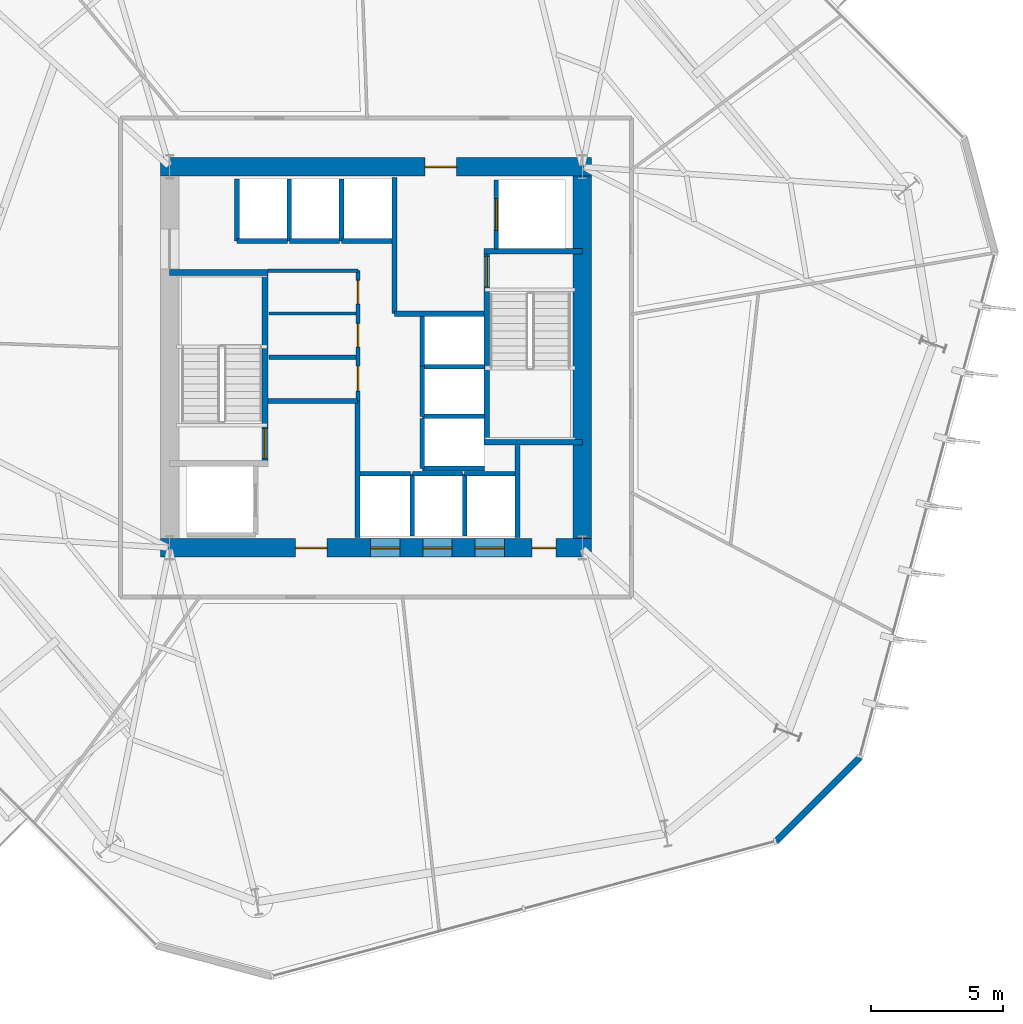
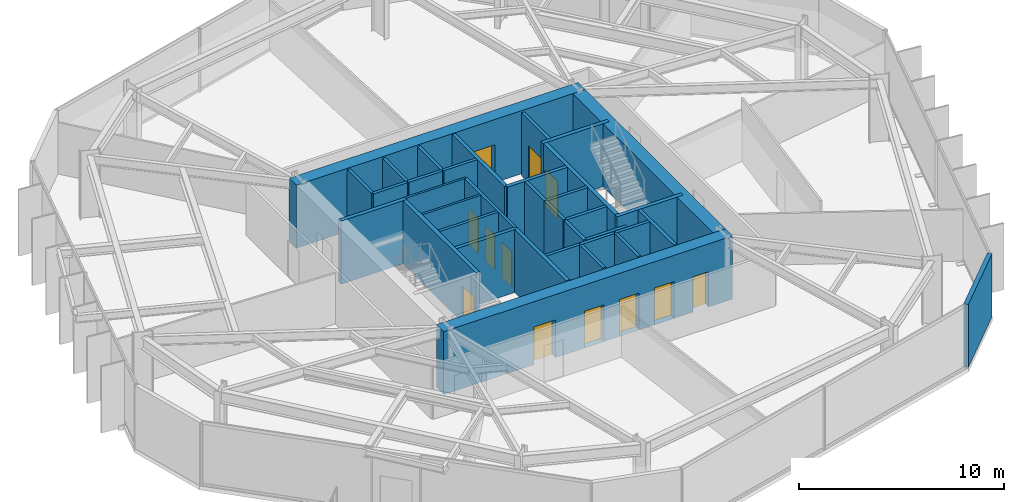
# One storey, part 6 of 10: 36 walls, 12 doors, 12 openings.
"""IFC4 building model written with IfcOpenShell, lengths in metres."""

from ifc_helpers import new_model, si_unit, direction, frame, frame_2d, origin, place, context, subcontext, project, spatial, rectangle, extrude, material, layer, layer_set, type_object, element, fill, save


model = new_model("IFC4")

# Units and contexts
model_context = context("Model", 3, precision=1e-05, world=origin(), true_north=direction((0.0, 1.0)))
body_context = subcontext(model_context, "Body", "Model", "MODEL_VIEW")
ifc_project = project(units=[si_unit("LENGTHUNIT", "METRE"), si_unit("AREAUNIT", "SQUARE_METRE"), si_unit("VOLUMEUNIT", "CUBIC_METRE"), si_unit("PLANEANGLEUNIT", "RADIAN"), si_unit("MASSUNIT", "GRAM", prefix="KILO")], contexts=[model_context])

# Site, building, storey
site_placement = place(None, origin())
site = spatial("IfcSite", under=ifc_project, at=site_placement, CompositionType="ELEMENT")
building_placement = place(site_placement, origin())
building = spatial("IfcBuilding", under=site, at=building_placement, Name="Kranzbogen Civic Tower", CompositionType="ELEMENT")
storey_placement = place(building_placement, frame((0.0, 0.0, 80.0)))
storey = spatial("IfcBuildingStorey", under=building, at=storey_placement, Name="L19", CompositionType="ELEMENT", Elevation=80.0)

# Walls
ifc_material_1 = material(Name="Insulated Metal-Stud Gypsum Partition")
ifc_layer_1 = layer(ifc_material_1, 0.125, Name="Insulated Metal-Stud Gypsum Partition")
ifc_layer_set_1 = layer_set([ifc_layer_1], Name="Insulated Metal-Stud Gypsum Partition")
wall_type_1 = type_object("IfcWallType", Name="Acoustic Inter-Room Partition 125 mm", PredefinedType="PARTITIONING", material=ifc_layer_set_1)
wall_1_placement = place(storey_placement, frame((20.919921875, 28.280029296875, 0.0), z_axis=(0.0, 0.0, 1.0), x_axis=(1.0, 0.0, 0.0)))
element("IfcWall", 1, at=wall_1_placement, inside=storey, type_object=wall_type_1, Name="L19 core auxiliary North wall", PredefinedType="PARTITIONING", context=body_context, shape_type="SweptSolid", body=[
    extrude(rectangle(XDim=3.405029296875, YDim=0.125, at=frame_2d((1.70263671875, 0.0))), origin(), (0.0, 0.0, 1.0), 3.760009765625),
])
wall_2_placement = place(storey_placement, frame((20.949951171875, 26.659912109375, 0.0), z_axis=(0.0, 0.0, 1.0), x_axis=(1.0, 0.0, 0.0)))
element("IfcWall", 2, at=wall_2_placement, inside=storey, type_object=wall_type_1, Name="L19 core auxiliary partition 2", PredefinedType="PARTITIONING", context=body_context, shape_type="SweptSolid", body=[
    extrude(rectangle(XDim=3.300048828125, YDim=0.125, at=frame_2d((1.64990234375, 0.0))), origin(), (0.0, 0.0, 1.0), 3.760009765625),
])

# Wall, openings, doors
ifc_material_2 = material(Name="Concrete C55/67", Category="concrete")
ifc_layer_2 = layer(ifc_material_2, 0.699951171875, Name="Concrete C55/67")
ifc_layer_set_2 = layer_set([ifc_layer_2], Name="Concrete C55/67")
wall_type_2 = type_object("IfcWallType", Name="Central Core Shear Wall 700 mm", PredefinedType="SHEAR", material=ifc_layer_set_2)
wall_3_placement = place(storey_placement, frame((16.85009765625, 17.800048828125, 0.0), z_axis=(0.0, 0.0, 1.0), x_axis=(1.0, 0.0, 0.0)))
wall_3 = element("IfcWall", 3, at=wall_3_placement, inside=storey, type_object=wall_type_2, Name="L19 central core South shear wall", PredefinedType="SHEAR", context=body_context, shape_type="SweptSolid", body=[
    extrude(rectangle(XDim=16.2998046875, YDim=0.699951171875, at=frame_2d((8.14990234375, 0.0))), origin(), (0.0, 0.0, 1.0), 3.760009765625),
])
opening_1_placement = place(wall_3_placement, frame((5.10009765625, 0.0, 0.0)))
opening_1 = element("IfcOpeningElement", 4, at=opening_1_placement, cuts=wall_3, Name="Opening D-EX120", PredefinedType="OPENING", context=body_context, shape_type="SweptSolid", body=[
    extrude(rectangle(XDim=1.199951171875, YDim=2.25, at=frame_2d((0.60009765625, 1.125))), frame((0.0, 0.35986328125, 0.0), z_axis=(0.0, -1.0, 0.0), x_axis=(1.0, 0.0, 0.0)), (0.0, 0.0, 1.0), 0.719970703125),
])
opening_2_placement = place(wall_3_placement, frame((14.050048828125, 0.0, 0.0)))
opening_2 = element("IfcOpeningElement", 5, at=opening_2_placement, cuts=wall_3, Name="Opening D-WC90", PredefinedType="OPENING", context=body_context, shape_type="SweptSolid", body=[
    extrude(rectangle(XDim=0.89990234375, YDim=2.10009765625, at=frame_2d((0.449951171875, 1.050048828125))), frame((0.0, 0.35986328125, 0.0), z_axis=(0.0, -1.0, 0.0), x_axis=(1.0, 0.0, 0.0)), (0.0, 0.0, 1.0), 0.719970703125),
])
opening_3_placement = place(wall_3_placement, frame((7.949951171875, 0.0, 0.0)))
opening_3 = element("IfcOpeningElement", 6, at=opening_3_placement, cuts=wall_3, Name="Opening LD-LP-01", PredefinedType="OPENING", context=body_context, shape_type="SweptSolid", body=[
    extrude(rectangle(XDim=1.10009765625, YDim=2.199951171875, at=frame_2d((0.550048828125, 1.10009765625))), frame((0.0, 0.35986328125, 0.0), z_axis=(0.0, -1.0, 0.0), x_axis=(1.0, 0.0, 0.0)), (0.0, 0.0, 1.0), 0.719970703125),
])
opening_4_placement = place(wall_3_placement, frame((9.925048828125, 0.0, 0.0)))
opening_4 = element("IfcOpeningElement", 7, at=opening_4_placement, cuts=wall_3, Name="Opening LD-LP-02", PredefinedType="OPENING", context=body_context, shape_type="SweptSolid", body=[
    extrude(rectangle(XDim=1.10009765625, YDim=2.199951171875, at=frame_2d((0.550048828125, 1.10009765625))), frame((0.0, 0.35986328125, 0.0), z_axis=(0.0, -1.0, 0.0), x_axis=(1.0, 0.0, 0.0)), (0.0, 0.0, 1.0), 0.719970703125),
])
opening_5_placement = place(wall_3_placement, frame((11.89990234375, 0.0, 0.0)))
opening_5 = element("IfcOpeningElement", 8, at=opening_5_placement, cuts=wall_3, Name="Opening LD-LP-03", PredefinedType="OPENING", context=body_context, shape_type="SweptSolid", body=[
    extrude(rectangle(XDim=1.10009765625, YDim=2.199951171875, at=frame_2d((0.550048828125, 1.10009765625))), frame((0.0, 0.35986328125, 0.0), z_axis=(0.0, -1.0, 0.0), x_axis=(1.0, 0.0, 0.0)), (0.0, 0.0, 1.0), 0.719970703125),
])
ifc_material_3 = material(Name="Steel S355", Category="steel")
door_type_1 = type_object("IfcDoorType", Name="Exit Passageway Fire Door 1200x2250", OperationType="NOTDEFINED", PredefinedType="DOOR", material=ifc_material_3)
door_1_placement = place(opening_1_placement, origin())
door_1 = element("IfcDoor", 9, at=door_1_placement, inside=storey, type_object=door_type_1, Name="L19 West firefighting lobby corridor door", OperationType="SINGLE_SWING_LEFT", OverallHeight=2.25, OverallWidth=1.199951171875, PredefinedType="DOOR", context=body_context, shape_type="SweptSolid", body=[
    extrude(rectangle(XDim=1.199951171875, YDim=2.25, at=frame_2d((0.60009765625, 1.125))), frame((0.0, 0.02490234375, 0.0), z_axis=(0.0, -1.0, 0.0), x_axis=(1.0, 0.0, 0.0)), (0.0, 0.0, 1.0), 0.050048828125),
])
fill(opening_1, door_1)
ifc_material_4 = material(Name="Pale Anodised Aluminium", Category="aluminium")
door_type_2 = type_object("IfcDoorType", Name="Passenger Lift Sliding Landing Door 1100x2200", OperationType="DOUBLE_DOOR_SLIDING", PredefinedType="DOOR", material=ifc_material_4)
door_2_placement = place(opening_3_placement, origin())
door_2 = element("IfcDoor", 10, at=door_2_placement, inside=storey, type_object=door_type_2, Name="L19 lift LP-01 sliding landing door", OperationType="DOUBLE_DOOR_SLIDING", OverallHeight=2.199951171875, OverallWidth=1.10009765625, PredefinedType="DOOR", context=body_context, shape_type="SweptSolid", body=[
    extrude(rectangle(XDim=1.10009765625, YDim=2.199951171875, at=frame_2d((0.550048828125, 1.10009765625))), frame((0.0, 0.02490234375, 0.0), z_axis=(0.0, -1.0, 0.0), x_axis=(1.0, 0.0, 0.0)), (0.0, 0.0, 1.0), 0.050048828125),
])
fill(opening_3, door_2)
door_3_placement = place(opening_4_placement, origin())
door_3 = element("IfcDoor", 11, at=door_3_placement, inside=storey, type_object=door_type_2, Name="L19 lift LP-02 sliding landing door", OperationType="DOUBLE_DOOR_SLIDING", OverallHeight=2.199951171875, OverallWidth=1.10009765625, PredefinedType="DOOR", context=body_context, shape_type="SweptSolid", body=[
    extrude(rectangle(XDim=1.10009765625, YDim=2.199951171875, at=frame_2d((0.550048828125, 1.10009765625))), frame((0.0, 0.02490234375, 0.0), z_axis=(0.0, -1.0, 0.0), x_axis=(1.0, 0.0, 0.0)), (0.0, 0.0, 1.0), 0.050048828125),
])
fill(opening_4, door_3)
door_4_placement = place(opening_5_placement, origin())
door_4 = element("IfcDoor", 12, at=door_4_placement, inside=storey, type_object=door_type_2, Name="L19 lift LP-03 sliding landing door", OperationType="DOUBLE_DOOR_SLIDING", OverallHeight=2.199951171875, OverallWidth=1.10009765625, PredefinedType="DOOR", context=body_context, shape_type="SweptSolid", body=[
    extrude(rectangle(XDim=1.10009765625, YDim=2.199951171875, at=frame_2d((0.550048828125, 1.10009765625))), frame((0.0, 0.02490234375, 0.0), z_axis=(0.0, -1.0, 0.0), x_axis=(1.0, 0.0, 0.0)), (0.0, 0.0, 1.0), 0.050048828125),
])
fill(opening_5, door_4)
ifc_material_5 = material(Name="Moisture-Resistant Laminate")
door_type_3 = type_object("IfcDoorType", Name="Standard Restroom and Store Door 900x2100", OperationType="NOTDEFINED", PredefinedType="DOOR", material=ifc_material_5)
door_5_placement = place(opening_2_placement, origin())
door_5 = element("IfcDoor", 13, at=door_5_placement, inside=storey, type_object=door_type_3, Name="L19 East electrical riser access door", OperationType="SINGLE_SWING_RIGHT", OverallHeight=2.10009765625, OverallWidth=0.89990234375, PredefinedType="DOOR", context=body_context, shape_type="SweptSolid", body=[
    extrude(rectangle(XDim=0.89990234375, YDim=2.10009765625, at=frame_2d((0.449951171875, 1.050048828125))), frame((0.0, 0.02490234375, 0.0), z_axis=(0.0, -1.0, 0.0), x_axis=(1.0, 0.0, 0.0)), (0.0, 0.0, 1.0), 0.050048828125),
])
fill(opening_2, door_5)

# Wall, opening, door
wall_4_placement = place(storey_placement, frame((33.14990234375, 32.199951171875, 0.0), z_axis=(0.0, 0.0, 1.0), x_axis=(-1.0, 0.0, 0.0)))
wall_4 = element("IfcWall", 14, at=wall_4_placement, inside=storey, type_object=wall_type_2, Name="L19 central core North shear wall", PredefinedType="SHEAR", context=body_context, shape_type="SweptSolid", body=[
    extrude(rectangle(XDim=16.2998046875, YDim=0.699951171875, at=frame_2d((8.14990234375, 0.0))), origin(), (0.0, 0.0, 1.0), 3.760009765625),
])
opening_6_placement = place(wall_4_placement, frame((5.10009765625, 0.0, 0.0)))
opening_6 = element("IfcOpeningElement", 15, at=opening_6_placement, cuts=wall_4, Name="Opening D-EX120", PredefinedType="OPENING", context=body_context, shape_type="SweptSolid", body=[
    extrude(rectangle(XDim=1.199951171875, YDim=2.25, at=frame_2d((0.60009765625, 1.125))), frame((0.0, 0.35986328125, 0.0), z_axis=(0.0, -1.0, 0.0), x_axis=(1.0, 0.0, 0.0)), (0.0, 0.0, 1.0), 0.719970703125),
])
door_6_placement = place(opening_6_placement, origin())
door_6 = element("IfcDoor", 16, at=door_6_placement, inside=storey, type_object=door_type_1, Name="L19 East firefighting lobby corridor door", OperationType="SINGLE_SWING_RIGHT", OverallHeight=2.25, OverallWidth=1.199951171875, PredefinedType="DOOR", context=body_context, shape_type="SweptSolid", body=[
    extrude(rectangle(XDim=1.199951171875, YDim=2.25, at=frame_2d((0.60009765625, 1.125))), frame((0.0, 0.02490234375, 0.0), z_axis=(0.0, -1.0, 0.0), x_axis=(1.0, 0.0, 0.0)), (0.0, 0.0, 1.0), 0.050048828125),
])
fill(opening_6, door_6)

# Wall
wall_5_placement = place(storey_placement, frame((32.800048828125, 18.14990234375, 0.0), z_axis=(0.0, 0.0, 1.0), x_axis=(0.0, 1.0, 0.0)))
element("IfcWall", 17, at=wall_5_placement, inside=storey, type_object=wall_type_2, Name="L19 central core East shear wall", PredefinedType="SHEAR", context=body_context, shape_type="SweptSolid", body=[
    extrude(rectangle(XDim=13.7001953125, YDim=0.699951171875, at=frame_2d((6.85009765625, 0.0))), origin(), (0.0, 0.0, 1.0), 3.760009765625),
])

# Wall, opening, door
ifc_material_6 = material(Name="Concrete C45/55", Category="concrete")
ifc_layer_3 = layer(ifc_material_6, 0.219970703125, Name="Concrete C45/55")
ifc_layer_set_3 = layer_set([ifc_layer_3], Name="Concrete C45/55")
wall_type_3 = type_object("IfcWallType", Name="Core Internal Stair Structural Wall 220 mm", PredefinedType="SOLIDWALL", material=ifc_layer_set_3)
wall_6_placement = place(storey_placement, frame((20.81005859375, 20.989990234375, 0.0), z_axis=(0.0, 0.0, 1.0), x_axis=(0.0, 1.0, 0.0)))
wall_6 = element("IfcWall", 18, at=wall_6_placement, inside=storey, type_object=wall_type_3, Name="L19 ST-T1 East structural stair wall", PredefinedType="SOLIDWALL", context=body_context, shape_type="SweptSolid", body=[
    extrude(rectangle(XDim=7.219970703125, YDim=0.219970703125, at=frame_2d((3.60986328125, 0.0))), origin(), (0.0, 0.0, 1.0), 3.760009765625),
])
opening_7_placement = place(wall_6_placement, frame((0.179931640625, 0.0, 0.0)))
opening_7 = element("IfcOpeningElement", 19, at=opening_7_placement, cuts=wall_6, Name="Opening D-ST90", PredefinedType="OPENING", context=body_context, shape_type="SweptSolid", body=[
    extrude(rectangle(XDim=1.14990234375, YDim=2.199951171875, at=frame_2d((0.574951171875, 1.10009765625))), frame((0.0, 0.1201171875, 0.0), z_axis=(0.0, -1.0, 0.0), x_axis=(1.0, 0.0, 0.0)), (0.0, 0.0, 1.0), 0.239990234375),
])
door_type_4 = type_object("IfcDoorType", Name="Pressurized Stair and Lobby Fire Door 1150x2200", OperationType="NOTDEFINED", PredefinedType="DOOR", material=ifc_material_3)
door_7_placement = place(opening_7_placement, origin())
door_7 = element("IfcDoor", 20, at=door_7_placement, inside=storey, type_object=door_type_4, Name="L19 Stair ST-T1 fire door", OperationType="SINGLE_SWING_LEFT", OverallHeight=2.199951171875, OverallWidth=1.14990234375, PredefinedType="DOOR", context=body_context, shape_type="SweptSolid", body=[
    extrude(rectangle(XDim=1.14990234375, YDim=2.199951171875, at=frame_2d((0.574951171875, 1.10009765625))), frame((0.0, 0.02490234375, 0.0), z_axis=(0.0, -1.0, 0.0), x_axis=(1.0, 0.0, 0.0)), (0.0, 0.0, 1.0), 0.050048828125),
])
fill(opening_7, door_7)

# Wall
wall_7_placement = place(storey_placement, frame((17.199951171875, 28.2099609375, 0.0), z_axis=(0.0, 0.0, 1.0), x_axis=(1.0, 0.0, 0.0)))
element("IfcWall", 21, at=wall_7_placement, inside=storey, type_object=wall_type_3, Name="L19 ST-T1 North structural stair wall", PredefinedType="SOLIDWALL", context=body_context, shape_type="SweptSolid", body=[
    extrude(rectangle(XDim=3.719970703125, YDim=0.219970703125, at=frame_2d((1.85986328125, 0.0))), origin(), (0.0, 0.0, 1.0), 3.760009765625),
])

# Wall, opening, door
wall_8_placement = place(storey_placement, frame((29.18994140625, 21.7900390625, 0.0), z_axis=(0.0, 0.0, 1.0), x_axis=(0.0, 1.0, 0.0)))
wall_8 = element("IfcWall", 22, at=wall_8_placement, inside=storey, type_object=wall_type_3, Name="L19 ST-T2 West structural stair wall", PredefinedType="SOLIDWALL", context=body_context, shape_type="SweptSolid", body=[
    extrude(rectangle(XDim=7.219970703125, YDim=0.219970703125, at=frame_2d((3.60986328125, 0.0))), origin(), (0.0, 0.0, 1.0), 3.760009765625),
])
opening_8_placement = place(wall_8_placement, frame((5.8798828125, 0.0, 0.0)))
opening_8 = element("IfcOpeningElement", 23, at=opening_8_placement, cuts=wall_8, Name="Opening D-ST90", PredefinedType="OPENING", context=body_context, shape_type="SweptSolid", body=[
    extrude(rectangle(XDim=1.14990234375, YDim=2.199951171875, at=frame_2d((0.574951171875, 1.10009765625))), frame((0.0, 0.1201171875, 0.0), z_axis=(0.0, -1.0, 0.0), x_axis=(1.0, 0.0, 0.0)), (0.0, 0.0, 1.0), 0.239990234375),
])
door_8_placement = place(opening_8_placement, origin())
door_8 = element("IfcDoor", 24, at=door_8_placement, inside=storey, type_object=door_type_4, Name="L19 Stair ST-T2 fire door", OperationType="SINGLE_SWING_RIGHT", OverallHeight=2.199951171875, OverallWidth=1.14990234375, PredefinedType="DOOR", context=body_context, shape_type="SweptSolid", body=[
    extrude(rectangle(XDim=1.14990234375, YDim=2.199951171875, at=frame_2d((0.574951171875, 1.10009765625))), frame((0.0, 0.02490234375, 0.0), z_axis=(0.0, -1.0, 0.0), x_axis=(1.0, 0.0, 0.0)), (0.0, 0.0, 1.0), 0.050048828125),
])
fill(opening_8, door_8)

# Walls
for number, where, z_axis, x_axis, name in (
    (25, (29.080078125, 21.7900390625, 0.0), (0.0, 0.0, 1.0), (1.0, 0.0, 0.0), "L19 ST-T2 South structural stair wall"),
    (26, (29.080078125, 29.010009765625, 0.0), (0.0, 0.0, 1.0), (1.0, 0.0, 0.0), "L19 ST-T2 North structural stair wall"),
):
    element("IfcWall", number, at=place(storey_placement, frame(where, z_axis=z_axis, x_axis=x_axis)), inside=storey, type_object=wall_type_3, Name=name, PredefinedType="SOLIDWALL", context=body_context, shape_type="SweptSolid", body=[
        extrude(rectangle(XDim=3.719970703125, YDim=0.219970703125, at=frame_2d((1.85986328125, 0.0))), origin(), (0.0, 0.0, 1.0), 3.760009765625),
    ])
ifc_material_7 = material(Name="Gypsum Fireboard and Concrete Block", Category="concrete")
ifc_layer_4 = layer(ifc_material_7, 0.199951171875, Name="Gypsum Fireboard and Concrete Block")
ifc_layer_set_4 = layer_set([ifc_layer_4], Name="Gypsum Fireboard and Concrete Block")
wall_type_4 = type_object("IfcWallType", Name="Fire-Rated Exit Passageway and Stair Wall 200 mm", PredefinedType="PARTITIONING", material=ifc_layer_set_4)
wall_9_placement = place(storey_placement, frame((24.300048828125, 18.199951171875, 0.0), z_axis=(0.0, 0.0, 1.0), x_axis=(0.0, 1.0, 0.0)))
element("IfcWall", 27, at=wall_9_placement, inside=storey, type_object=wall_type_4, Name="L19 West firefighting lobby East wall", PredefinedType="PARTITIONING", context=body_context, shape_type="SweptSolid", body=[
    extrude(rectangle(XDim=5.150146484375, YDim=0.199951171875, at=frame_2d((2.5751953125, 0.0))), origin(), (0.0, 0.0, 1.0), 3.760009765625),
])
wall_10_placement = place(storey_placement, frame((20.919921875, 23.35009765625, 0.0), z_axis=(0.0, 0.0, 1.0), x_axis=(1.0, 0.0, 0.0)))
element("IfcWall", 28, at=wall_10_placement, inside=storey, type_object=wall_type_4, Name="L19 West firefighting lobby North wall", PredefinedType="PARTITIONING", context=body_context, shape_type="SweptSolid", body=[
    extrude(rectangle(XDim=3.380126953125, YDim=0.199951171875, at=frame_2d((1.68994140625, 0.0))), origin(), (0.0, 0.0, 1.0), 3.760009765625),
])
wall_11_placement = place(storey_placement, frame((25.699951171875, 26.64990234375, 0.0), z_axis=(0.0, 0.0, 1.0), x_axis=(0.0, 1.0, 0.0)))
element("IfcWall", 29, at=wall_11_placement, inside=storey, type_object=wall_type_4, Name="L19 East firefighting lobby West wall", PredefinedType="PARTITIONING", context=body_context, shape_type="SweptSolid", body=[
    extrude(rectangle(XDim=5.150146484375, YDim=0.199951171875, at=frame_2d((2.5751953125, 0.0))), origin(), (0.0, 0.0, 1.0), 3.760009765625),
])
wall_12_placement = place(storey_placement, frame((25.699951171875, 26.64990234375, 0.0), z_axis=(0.0, 0.0, 1.0), x_axis=(1.0, 0.0, 0.0)))
element("IfcWall", 30, at=wall_12_placement, inside=storey, type_object=wall_type_4, Name="L19 East firefighting lobby South wall", PredefinedType="PARTITIONING", context=body_context, shape_type="SweptSolid", body=[
    extrude(rectangle(XDim=3.380126953125, YDim=0.199951171875, at=frame_2d((1.68994140625, 0.0))), origin(), (0.0, 0.0, 1.0), 3.760009765625),
])
ifc_material_8 = material(Name="Gypsum Fireboard Shaftliner")
ifc_layer_5 = layer(ifc_material_8, 0.175048828125, Name="Gypsum Fireboard Shaftliner")
ifc_layer_set_5 = layer_set([ifc_layer_5], Name="Gypsum Fireboard Shaftliner")
wall_type_5 = type_object("IfcWallType", Name="Fire-Rated Lift and Service Shaft Wall 175 mm", PredefinedType="PARTITIONING", material=ifc_layer_set_5)
wall_13_placement = place(storey_placement, frame((30.35009765625, 18.199951171875, 0.0), z_axis=(0.0, 0.0, 1.0), x_axis=(0.0, 1.0, 0.0)))
element("IfcWall", 31, at=wall_13_placement, inside=storey, type_object=wall_type_5, Name="L19 East core riser West wall", PredefinedType="PARTITIONING", context=body_context, shape_type="SweptSolid", body=[
    extrude(rectangle(XDim=3.47998046875, YDim=0.175048828125, at=frame_2d((1.739990234375, 0.0))), origin(), (0.0, 0.0, 1.0), 3.760009765625),
])
wall_14_placement = place(storey_placement, frame((24.39990234375, 20.60009765625, 0.0), z_axis=(0.0, 0.0, 1.0), x_axis=(1.0, 0.0, 0.0)))
element("IfcWall", 32, at=wall_14_placement, inside=storey, type_object=wall_type_5, Name="L19 lift LP-01 rear wall", PredefinedType="PARTITIONING", context=body_context, shape_type="SweptSolid", body=[
    extrude(rectangle(XDim=1.900146484375, YDim=0.175048828125, at=frame_2d((0.9501953125, 0.0))), origin(), (0.0, 0.0, 1.0), 3.760009765625),
])
wall_15_placement = place(storey_placement, frame((26.375, 20.60009765625, 0.0), z_axis=(0.0, 0.0, 1.0), x_axis=(1.0, 0.0, 0.0)))
element("IfcWall", 33, at=wall_15_placement, inside=storey, type_object=wall_type_5, Name="L19 lift LP-02 rear wall", PredefinedType="PARTITIONING", context=body_context, shape_type="SweptSolid", body=[
    extrude(rectangle(XDim=1.89990234375, YDim=0.175048828125, at=frame_2d((0.949951171875, 0.0))), origin(), (0.0, 0.0, 1.0), 3.760009765625),
])
wall_16_placement = place(storey_placement, frame((26.375, 18.25, 0.0), z_axis=(0.0, 0.0, 1.0), x_axis=(0.0, 1.0, 0.0)))
element("IfcWall", 34, at=wall_16_placement, inside=storey, type_object=wall_type_5, Name="L19 lift LP-02 side wall", PredefinedType="PARTITIONING", context=body_context, shape_type="SweptSolid", body=[
    extrude(rectangle(XDim=2.35009765625, YDim=0.175048828125, at=frame_2d((1.175048828125, 0.0))), origin(), (0.0, 0.0, 1.0), 3.760009765625),
])
wall_17_placement = place(storey_placement, frame((28.35009765625, 20.60009765625, 0.0), z_axis=(0.0, 0.0, 1.0), x_axis=(1.0, 0.0, 0.0)))
element("IfcWall", 35, at=wall_17_placement, inside=storey, type_object=wall_type_5, Name="L19 lift LP-03 rear wall", PredefinedType="PARTITIONING", context=body_context, shape_type="SweptSolid", body=[
    extrude(rectangle(XDim=1.89990234375, YDim=0.175048828125, at=frame_2d((0.949951171875, 0.0))), origin(), (0.0, 0.0, 1.0), 3.760009765625),
])
wall_18_placement = place(storey_placement, frame((28.35009765625, 18.25, 0.0), z_axis=(0.0, 0.0, 1.0), x_axis=(0.0, 1.0, 0.0)))
element("IfcWall", 36, at=wall_18_placement, inside=storey, type_object=wall_type_5, Name="L19 lift LP-03 side wall", PredefinedType="PARTITIONING", context=body_context, shape_type="SweptSolid", body=[
    extrude(rectangle(XDim=2.35009765625, YDim=0.175048828125, at=frame_2d((1.175048828125, 0.0))), origin(), (0.0, 0.0, 1.0), 3.760009765625),
])
wall_19_placement = place(storey_placement, frame((19.75, 29.39990234375, 0.0), z_axis=(0.0, 0.0, 1.0), x_axis=(1.0, 0.0, 0.0)))
element("IfcWall", 37, at=wall_19_placement, inside=storey, type_object=wall_type_5, Name="L19 lift MP-01 rear wall", PredefinedType="PARTITIONING", context=body_context, shape_type="SweptSolid", body=[
    extrude(rectangle(XDim=1.89990234375, YDim=0.175048828125, at=frame_2d((0.949951171875, 0.0))), origin(), (0.0, 0.0, 1.0), 3.760009765625),
])
wall_20_placement = place(storey_placement, frame((19.75, 29.39990234375, 0.0), z_axis=(0.0, 0.0, 1.0), x_axis=(0.0, 1.0, 0.0)))
element("IfcWall", 38, at=wall_20_placement, inside=storey, type_object=wall_type_5, Name="L19 lift MP-01 side wall", PredefinedType="PARTITIONING", context=body_context, shape_type="SweptSolid", body=[
    extrude(rectangle(XDim=2.35009765625, YDim=0.175048828125, at=frame_2d((1.175048828125, 0.0))), origin(), (0.0, 0.0, 1.0), 3.760009765625),
])
wall_21_placement = place(storey_placement, frame((21.72509765625, 29.39990234375, 0.0), z_axis=(0.0, 0.0, 1.0), x_axis=(1.0, 0.0, 0.0)))
element("IfcWall", 39, at=wall_21_placement, inside=storey, type_object=wall_type_5, Name="L19 lift MP-02 rear wall", PredefinedType="PARTITIONING", context=body_context, shape_type="SweptSolid", body=[
    extrude(rectangle(XDim=1.89990234375, YDim=0.175048828125, at=frame_2d((0.949951171875, 0.0))), origin(), (0.0, 0.0, 1.0), 3.760009765625),
])
wall_22_placement = place(storey_placement, frame((21.72509765625, 29.39990234375, 0.0), z_axis=(0.0, 0.0, 1.0), x_axis=(0.0, 1.0, 0.0)))
element("IfcWall", 40, at=wall_22_placement, inside=storey, type_object=wall_type_5, Name="L19 lift MP-02 side wall", PredefinedType="PARTITIONING", context=body_context, shape_type="SweptSolid", body=[
    extrude(rectangle(XDim=2.35009765625, YDim=0.175048828125, at=frame_2d((1.175048828125, 0.0))), origin(), (0.0, 0.0, 1.0), 3.760009765625),
])
wall_23_placement = place(storey_placement, frame((23.699951171875, 29.39990234375, 0.0), z_axis=(0.0, 0.0, 1.0), x_axis=(1.0, 0.0, 0.0)))
element("IfcWall", 41, at=wall_23_placement, inside=storey, type_object=wall_type_5, Name="L19 lift MP-03 rear wall", PredefinedType="PARTITIONING", context=body_context, shape_type="SweptSolid", body=[
    extrude(rectangle(XDim=1.900146484375, YDim=0.175048828125, at=frame_2d((0.9501953125, 0.0))), origin(), (0.0, 0.0, 1.0), 3.760009765625),
])
wall_24_placement = place(storey_placement, frame((23.699951171875, 29.39990234375, 0.0), z_axis=(0.0, 0.0, 1.0), x_axis=(0.0, 1.0, 0.0)))
element("IfcWall", 42, at=wall_24_placement, inside=storey, type_object=wall_type_5, Name="L19 lift MP-03 side wall", PredefinedType="PARTITIONING", context=body_context, shape_type="SweptSolid", body=[
    extrude(rectangle(XDim=2.35009765625, YDim=0.175048828125, at=frame_2d((1.175048828125, 0.0))), origin(), (0.0, 0.0, 1.0), 3.760009765625),
])
wall_25_placement = place(storey_placement, frame((26.75, 20.800048828125, 0.0), z_axis=(0.0, 0.0, 1.0), x_axis=(0.0, 1.0, 0.0)))
element("IfcWall", 43, at=wall_25_placement, inside=storey, type_object=wall_type_5, Name="L19 lift HP-01 landing wall", PredefinedType="PARTITIONING", context=body_context, shape_type="SweptSolid", body=[
    extrude(rectangle(XDim=1.89990234375, YDim=0.175048828125, at=frame_2d((0.949951171875, 0.0))), origin(), (0.0, 0.0, 1.0), 3.760009765625),
])
wall_26_placement = place(storey_placement, frame((26.75, 20.800048828125, 0.0), z_axis=(0.0, 0.0, 1.0), x_axis=(1.0, 0.0, 0.0)))
element("IfcWall", 44, at=wall_26_placement, inside=storey, type_object=wall_type_5, Name="L19 lift HP-01 side wall", PredefinedType="PARTITIONING", context=body_context, shape_type="SweptSolid", body=[
    extrude(rectangle(XDim=2.35009765625, YDim=0.175048828125, at=frame_2d((1.175048828125, 0.0))), origin(), (0.0, 0.0, 1.0), 3.760009765625),
])
wall_27_placement = place(storey_placement, frame((26.75, 22.77490234375, 0.0), z_axis=(0.0, 0.0, 1.0), x_axis=(0.0, 1.0, 0.0)))
element("IfcWall", 45, at=wall_27_placement, inside=storey, type_object=wall_type_5, Name="L19 lift HP-02 landing wall", PredefinedType="PARTITIONING", context=body_context, shape_type="SweptSolid", body=[
    extrude(rectangle(XDim=1.900146484375, YDim=0.175048828125, at=frame_2d((0.9501953125, 0.0))), origin(), (0.0, 0.0, 1.0), 3.760009765625),
])
wall_28_placement = place(storey_placement, frame((26.75, 22.77490234375, 0.0), z_axis=(0.0, 0.0, 1.0), x_axis=(1.0, 0.0, 0.0)))
element("IfcWall", 46, at=wall_28_placement, inside=storey, type_object=wall_type_5, Name="L19 lift HP-02 side wall", PredefinedType="PARTITIONING", context=body_context, shape_type="SweptSolid", body=[
    extrude(rectangle(XDim=2.35009765625, YDim=0.175048828125, at=frame_2d((1.175048828125, 0.0))), origin(), (0.0, 0.0, 1.0), 3.760009765625),
])
wall_29_placement = place(storey_placement, frame((26.75, 24.64990234375, 0.0), z_axis=(0.0, 0.0, 1.0), x_axis=(0.0, 1.0, 0.0)))
element("IfcWall", 47, at=wall_29_placement, inside=storey, type_object=wall_type_5, Name="L19 lift HP-03 landing wall", PredefinedType="PARTITIONING", context=body_context, shape_type="SweptSolid", body=[
    extrude(rectangle(XDim=1.900146484375, YDim=0.175048828125, at=frame_2d((0.9501953125, 0.0))), origin(), (0.0, 0.0, 1.0), 3.760009765625),
])
wall_30_placement = place(storey_placement, frame((26.75, 24.64990234375, 0.0), z_axis=(0.0, 0.0, 1.0), x_axis=(1.0, 0.0, 0.0)))
element("IfcWall", 48, at=wall_30_placement, inside=storey, type_object=wall_type_5, Name="L19 lift HP-03 side wall", PredefinedType="PARTITIONING", context=body_context, shape_type="SweptSolid", body=[
    extrude(rectangle(XDim=2.35009765625, YDim=0.175048828125, at=frame_2d((1.175048828125, 0.0))), origin(), (0.0, 0.0, 1.0), 3.760009765625),
])

# Wall, opening, door
wall_31_placement = place(storey_placement, frame((29.550048828125, 29.10009765625, 0.0), z_axis=(0.0, 0.0, 1.0), x_axis=(0.0, 1.0, 0.0)))
wall_31 = element("IfcWall", 49, at=wall_31_placement, inside=storey, type_object=wall_type_5, Name="L19 lift FF-02 landing wall", PredefinedType="PARTITIONING", context=body_context, shape_type="SweptSolid", body=[
    extrude(rectangle(XDim=2.599853515625, YDim=0.175048828125, at=frame_2d((1.2998046875, 0.0))), origin(), (0.0, 0.0, 1.0), 3.760009765625),
])
opening_9_placement = place(wall_31_placement, frame((0.699951171875, 0.0, 0.0)))
opening_9 = element("IfcOpeningElement", 50, at=opening_9_placement, cuts=wall_31, Name="Opening LD-FF-02", PredefinedType="OPENING", context=body_context, shape_type="SweptSolid", body=[
    extrude(rectangle(XDim=1.199951171875, YDim=2.199951171875, at=frame_2d((0.60009765625, 1.10009765625))), frame((0.0, 0.09765625, 0.0), z_axis=(0.0, -1.0, 0.0), x_axis=(1.0, 0.0, 0.0)), (0.0, 0.0, 1.0), 0.195068359375),
])
door_type_5 = type_object("IfcDoorType", Name="Firefighting and Stretcher Lift Sliding Landing Door 1200x2200", OperationType="DOUBLE_DOOR_SLIDING", PredefinedType="DOOR", material=ifc_material_4)
door_9_placement = place(opening_9_placement, origin())
door_9 = element("IfcDoor", 51, at=door_9_placement, inside=storey, type_object=door_type_5, Name="L19 lift FF-02 sliding landing door", OperationType="DOUBLE_DOOR_SLIDING", OverallHeight=2.199951171875, OverallWidth=1.199951171875, PredefinedType="DOOR", context=body_context, shape_type="SweptSolid", body=[
    extrude(rectangle(XDim=1.199951171875, YDim=2.199951171875, at=frame_2d((0.60009765625, 1.10009765625))), frame((0.0, 0.02490234375, 0.0), z_axis=(0.0, -1.0, 0.0), x_axis=(1.0, 0.0, 0.0)), (0.0, 0.0, 1.0), 0.050048828125),
])
fill(opening_9, door_9)

# Wall
ifc_layer_6 = layer(ifc_material_4, 0.239990234375, Name="Pale Anodised Aluminium")
ifc_layer_set_6 = layer_set([ifc_layer_6], Name="Pale Anodised Aluminium")
wall_type_6 = type_object("IfcWallType", Name="Insulated Aluminium Facade Portal Wall 240 mm", PredefinedType="STANDARD", material=ifc_layer_set_6)
wall_32_placement = place(storey_placement, frame((40.118896484375, 6.718017578125, 0.0), z_axis=(0.0, 0.0, 1.0), x_axis=(0.707106781187, 0.707106781187, 0.0)))
element("IfcWall", 52, at=wall_32_placement, inside=storey, type_object=wall_type_6, Name="L19 chamfered corner facade spandrel 5", PredefinedType="STANDARD", context=body_context, shape_type="SweptSolid", body=[
    extrude(rectangle(XDim=4.473388671875, YDim=0.239990234375, at=frame_2d((2.23681640625, 0.0))), origin(), (0.0, 0.0, 1.0), 3.760009765625),
])

# Wall, openings, doors
ifc_material_9 = material(Name="Moisture-Resistant Gypsum Assembly")
ifc_layer_7 = layer(ifc_material_9, 0.159912109375, Name="Moisture-Resistant Gypsum Assembly")
ifc_layer_set_7 = layer_set([ifc_layer_7], Name="Moisture-Resistant Gypsum Assembly")
wall_type_7 = type_object("IfcWallType", Name="Sanitary and Plumbing Wet Wall 160 mm", PredefinedType="PLUMBINGWALL", material=ifc_layer_set_7)
wall_33_placement = place(storey_placement, frame((24.324951171875, 23.35009765625, 0.0), z_axis=(0.0, 0.0, 1.0), x_axis=(0.0, 1.0, 0.0)))
wall_33 = element("IfcWall", 53, at=wall_33_placement, inside=storey, type_object=wall_type_7, Name="L19 core auxiliary East wall", PredefinedType="PLUMBINGWALL", context=body_context, shape_type="SweptSolid", body=[
    extrude(rectangle(XDim=4.929931640625, YDim=0.159912109375, at=frame_2d((2.46484375, 0.0))), origin(), (0.0, 0.0, 1.0), 3.760009765625),
])
opening_10_placement = place(wall_33_placement, frame((0.375, 0.0, 0.0)))
opening_10 = element("IfcOpeningElement", 54, at=opening_10_placement, cuts=wall_33, Name="Opening D-AWC95", PredefinedType="OPENING", context=body_context, shape_type="SweptSolid", body=[
    extrude(rectangle(XDim=0.949951171875, YDim=2.10009765625, at=frame_2d((0.47509765625, 1.050048828125))), frame((0.0, 0.08984375, 0.0), z_axis=(0.0, -1.0, 0.0), x_axis=(1.0, 0.0, 0.0)), (0.0, 0.0, 1.0), 0.179931640625),
])
opening_11_placement = place(wall_33_placement, frame((2.034912109375, 0.0, 0.0)))
opening_11 = element("IfcOpeningElement", 55, at=opening_11_placement, cuts=wall_33, Name="Opening D-WC90", PredefinedType="OPENING", context=body_context, shape_type="SweptSolid", body=[
    extrude(rectangle(XDim=0.89990234375, YDim=2.10009765625, at=frame_2d((0.449951171875, 1.050048828125))), frame((0.0, 0.08984375, 0.0), z_axis=(0.0, -1.0, 0.0), x_axis=(1.0, 0.0, 0.0)), (0.0, 0.0, 1.0), 0.179931640625),
])
opening_12_placement = place(wall_33_placement, frame((3.659912109375, 0.0, 0.0)))
opening_12 = element("IfcOpeningElement", 56, at=opening_12_placement, cuts=wall_33, Name="Opening D-WC90", PredefinedType="OPENING", context=body_context, shape_type="SweptSolid", body=[
    extrude(rectangle(XDim=0.89990234375, YDim=2.10009765625, at=frame_2d((0.449951171875, 1.050048828125))), frame((0.0, 0.08984375, 0.0), z_axis=(0.0, -1.0, 0.0), x_axis=(1.0, 0.0, 0.0)), (0.0, 0.0, 1.0), 0.179931640625),
])
door_type_6 = type_object("IfcDoorType", Name="Accessible Restroom Door 950x2100", OperationType="NOTDEFINED", PredefinedType="DOOR", material=ifc_material_5)
door_10_placement = place(opening_10_placement, origin())
door_10 = element("IfcDoor", 57, at=door_10_placement, inside=storey, type_object=door_type_6, Name="L19 Accessible Restroom door", OperationType="SINGLE_SWING_LEFT", OverallHeight=2.10009765625, OverallWidth=0.949951171875, PredefinedType="DOOR", context=body_context, shape_type="SweptSolid", body=[
    extrude(rectangle(XDim=0.949951171875, YDim=2.10009765625, at=frame_2d((0.47509765625, 1.050048828125))), frame((0.0, 0.02490234375, 0.0), z_axis=(0.0, -1.0, 0.0), x_axis=(1.0, 0.0, 0.0)), (0.0, 0.0, 1.0), 0.050048828125),
])
fill(opening_10, door_10)
door_11_placement = place(opening_11_placement, origin())
door_11 = element("IfcDoor", 58, at=door_11_placement, inside=storey, type_object=door_type_3, Name="L19 Staff Restroom door", OperationType="SINGLE_SWING_RIGHT", OverallHeight=2.10009765625, OverallWidth=0.89990234375, PredefinedType="DOOR", context=body_context, shape_type="SweptSolid", body=[
    extrude(rectangle(XDim=0.89990234375, YDim=2.10009765625, at=frame_2d((0.449951171875, 1.050048828125))), frame((0.0, 0.02490234375, 0.0), z_axis=(0.0, -1.0, 0.0), x_axis=(1.0, 0.0, 0.0)), (0.0, 0.0, 1.0), 0.050048828125),
])
fill(opening_11, door_11)
door_12_placement = place(opening_12_placement, origin())
door_12 = element("IfcDoor", 59, at=door_12_placement, inside=storey, type_object=door_type_3, Name="L19 Cleaner and Janitor Store door", OperationType="SINGLE_SWING_LEFT", OverallHeight=2.10009765625, OverallWidth=0.89990234375, PredefinedType="DOOR", context=body_context, shape_type="SweptSolid", body=[
    extrude(rectangle(XDim=0.89990234375, YDim=2.10009765625, at=frame_2d((0.449951171875, 1.050048828125))), frame((0.0, 0.02490234375, 0.0), z_axis=(0.0, -1.0, 0.0), x_axis=(1.0, 0.0, 0.0)), (0.0, 0.0, 1.0), 0.050048828125),
])
fill(opening_12, door_12)

# Wall
wall_34_placement = place(storey_placement, frame((20.949951171875, 25.010009765625, 0.0), z_axis=(0.0, 0.0, 1.0), x_axis=(1.0, 0.0, 0.0)))
element("IfcWall", 60, at=wall_34_placement, inside=storey, type_object=wall_type_7, Name="L19 core auxiliary partition 1", PredefinedType="PLUMBINGWALL", context=body_context, shape_type="SweptSolid", body=[
    extrude(rectangle(XDim=3.300048828125, YDim=0.159912109375, at=frame_2d((1.64990234375, 0.0))), origin(), (0.0, 0.0, 1.0), 3.760009765625),
])

save(model, "model.ifc")
